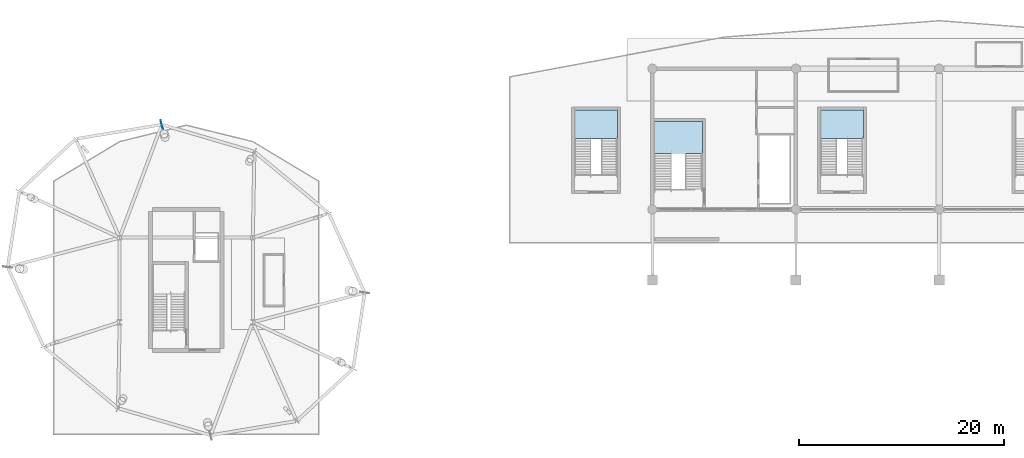
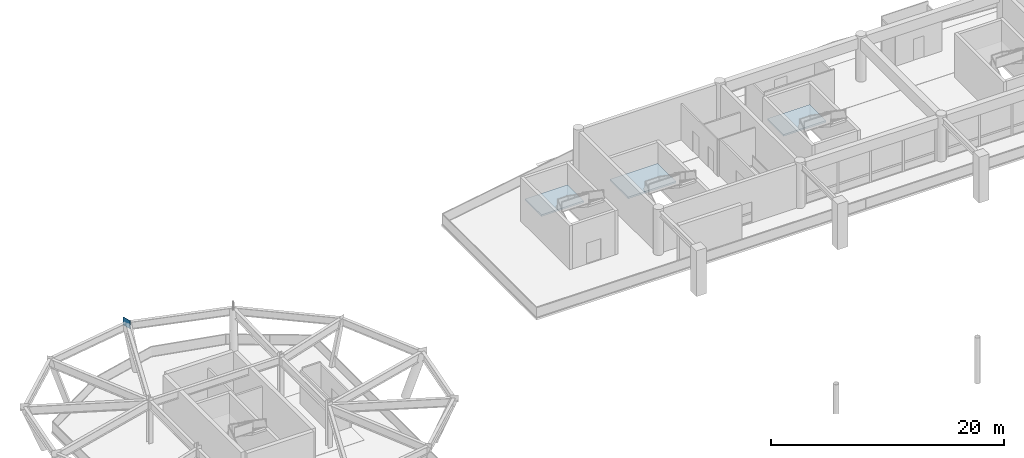
# One storey, part 54 of 91: 3 slabs, 1 plate, 3 elements without a shape of their own.
"""IFC4 building model written with IfcOpenShell, lengths in metres."""

from ifc_helpers import new_model, si_unit, direction, frame, origin, origin_2d, place, context, subcontext, project, spatial, polyline, rectangle, outline, extrude, material, layer, layer_set, type_object, element, aggregate, save


model = new_model("IFC4")

# Units and contexts
model_context = context("Model", 3, precision=1e-05, world=origin(), true_north=direction((0.0, 1.0)))
body_context = subcontext(model_context, "Body", "Model", "MODEL_VIEW")
ifc_project = project(units=[si_unit("LENGTHUNIT", "METRE"), si_unit("AREAUNIT", "SQUARE_METRE"), si_unit("VOLUMEUNIT", "CUBIC_METRE"), si_unit("PLANEANGLEUNIT", "RADIAN"), si_unit("MASSUNIT", "GRAM", prefix="KILO")], contexts=[model_context])

# Site, building, storey
site_placement = place(None, origin())
site = spatial("IfcSite", under=ifc_project, at=site_placement, CompositionType="ELEMENT")
building_placement = place(site_placement, origin())
building = spatial("IfcBuilding", under=site, at=building_placement, Name="Linyun Crest Stadium", CompositionType="ELEMENT")
storey_placement = place(building_placement, frame((0.0, 0.0, 11.39990234375)))
storey = spatial("IfcBuildingStorey", under=building, at=storey_placement, Name="L03", CompositionType="ELEMENT", Elevation=11.39990234375)

# Plate
ifc_material_1 = material(Name="Steel Q420C", Category="steel")
ifc_layer_1 = layer(ifc_material_1, 0.028076171875)
ifc_layer_set_1 = layer_set([ifc_layer_1], Name="Steel Q420C")
plate_type = type_object("IfcPlateType", Name="EP03", PredefinedType="USERDEFINED", material=ifc_layer_set_1)
plate_placement = place(storey_placement, frame((-75.885009765625, 99.7919921875, 3.9345703125), z_axis=(0.0, 0.0, 1.0), x_axis=(-0.246491603437, 0.969144926951, 0.0)))
element("IfcPlate", 1, at=plate_placement, inside=storey, type_object=plate_type, Name="Hollow section cap end plate EP03 362", ObjectType="END PLATE", PredefinedType="USERDEFINED", context=body_context, shape_type="SweptSolid", body=[
    extrude(rectangle(XDim=0.85302734375, YDim=0.028076171875, at=origin_2d()), origin(), (0.0, 0.0, 1.0), 0.85302734375),
])

# Stair, slab
ifc_material_2 = material(Name="Concrete C40", Category="concrete")
stair_type = type_object("IfcStairType", Name="STA03", PredefinedType="HALF_TURN_STAIR", material=ifc_material_2)
stair_1_placement = place(storey_placement, origin())
stair_1 = element("IfcStair", 2, at=stair_1_placement, inside=storey, type_object=stair_type, Name="Evacuation stair STR-07-L03", PredefinedType="HALF_TURN_STAIR")
ifc_material_3 = material(Name="Concrete C40", Category="concrete")
ifc_layer_2 = layer(ifc_material_3, 0.179931640625)
ifc_layer_set_2 = layer_set([ifc_layer_2], Name="Concrete C40")
slab_type = type_object("IfcSlabType", Name="LS01", PredefinedType="LANDING", material=ifc_layer_set_2)
slab_1_placement = place(storey_placement, frame((0.0, 0.0, 2.22021484375)))
slab_1 = element("IfcSlab", 3, at=slab_1_placement, type_object=slab_type, Name="STR-07-L03 half-landing", PredefinedType="LANDING", context=body_context, shape_type="SweptSolid", body=[
    extrude(outline(polyline([(-27.824951171875, 96.989990234375), (-23.10009765625, 96.989990234375), (-23.10009765625, 100.10009765625), (-27.824951171875, 100.10009765625), (-27.824951171875, 96.989990234375)])), origin(), (0.0, 0.0, 1.0), 0.179931640625),
])
aggregate(stair_1, [slab_1])

stair_2_placement = place(storey_placement, origin())
stair_2 = element("IfcStair", 4, at=stair_2_placement, inside=storey, type_object=stair_type, Name="Vomitory evacuation stair STR-23-L03", PredefinedType="HALF_TURN_STAIR")
slab_2_placement = place(storey_placement, frame((0.0, 0.0, 2.22021484375)))
slab_2 = element("IfcSlab", 5, at=slab_2_placement, type_object=slab_type, Name="STR-23-L03 half-landing", PredefinedType="LANDING", context=body_context, shape_type="SweptSolid", body=[
    extrude(outline(polyline([(-35.60009765625, 98.419921875), (-31.39990234375, 98.419921875), (-31.39990234375, 101.199951171875), (-35.60009765625, 101.199951171875), (-35.60009765625, 98.419921875)])), origin(), (0.0, 0.0, 1.0), 0.179931640625),
])
aggregate(stair_2, [slab_2])

stair_3_placement = place(storey_placement, origin())
stair_3 = element("IfcStair", 6, at=stair_3_placement, inside=storey, type_object=stair_type, Name="Vomitory evacuation stair STR-24-L03", PredefinedType="HALF_TURN_STAIR")
slab_3_placement = place(storey_placement, frame((0.0, 0.0, 2.22021484375)))
slab_3 = element("IfcSlab", 7, at=slab_3_placement, type_object=slab_type, Name="STR-24-L03 half-landing", PredefinedType="LANDING", context=body_context, shape_type="SweptSolid", body=[
    extrude(outline(polyline([(-11.60009765625, 98.419921875), (-7.39990234375, 98.419921875), (-7.39990234375, 101.199951171875), (-11.60009765625, 101.199951171875), (-11.60009765625, 98.419921875)])), origin(), (0.0, 0.0, 1.0), 0.179931640625),
])
aggregate(stair_3, [slab_3])

save(model, "model.ifc")
